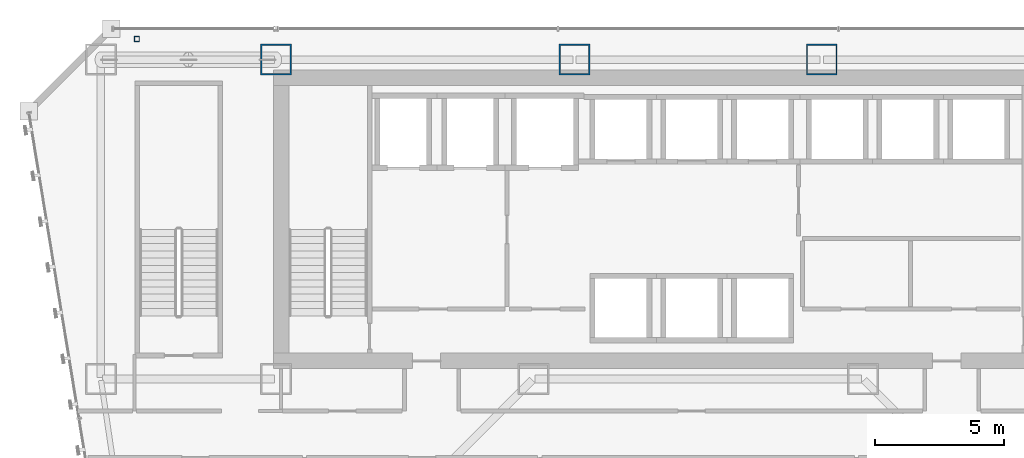
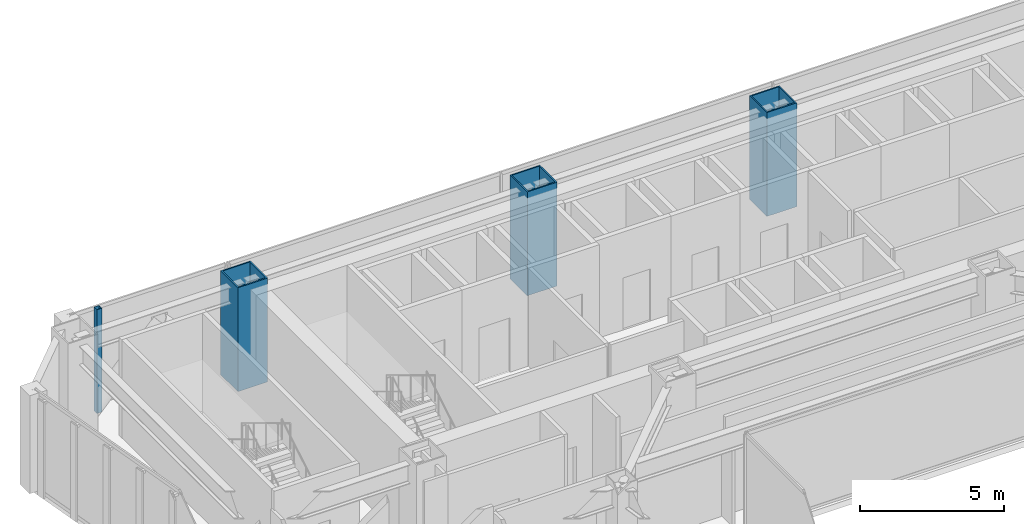
# One storey, part 2 of 47: 4 columns.
"""IFC4 building model written with IfcOpenShell, lengths in metres."""

from ifc_helpers import new_model, si_unit, direction, frame, origin, origin_2d, place, context, subcontext, project, spatial, hollow_rectangle, extrude, material, material_profile, profile_set, type_object, element, save


model = new_model("IFC4")

# Units and contexts
model_context = context("Model", 3, precision=1e-05, world=origin(), true_north=direction((0.0, 1.0)))
body_context = subcontext(model_context, "Body", "Model", "MODEL_VIEW")
ifc_project = project(units=[si_unit("LENGTHUNIT", "METRE"), si_unit("AREAUNIT", "SQUARE_METRE"), si_unit("VOLUMEUNIT", "CUBIC_METRE"), si_unit("PLANEANGLEUNIT", "RADIAN"), si_unit("MASSUNIT", "GRAM", prefix="KILO")], contexts=[model_context])

# Site, building, storey
site_placement = place(None, origin())
site = spatial("IfcSite", under=ifc_project, at=site_placement, CompositionType="ELEMENT")
building_placement = place(site_placement, origin())
building = spatial("IfcBuilding", under=site, at=building_placement, Name="Saevonmaru Cultural Tower", CompositionType="ELEMENT")
storey_placement = place(building_placement, frame((0.0, 0.0, 56.0)))
storey = spatial("IfcBuildingStorey", under=building, at=storey_placement, Name="L11", CompositionType="ELEMENT", Elevation=56.0)

# Columns
ifc_material_1 = material(Name="Steel HSA600 (600 MPa)", Category="steel")
ifc_material_profile_1 = material_profile(ifc_material_1, hollow_rectangle(XDim=1.199951171875, YDim=1.199951171875, WallThickness=0.054931640625, at=origin_2d()), Name="BOX-1200x1200x55")
ifc_profile_set_1 = profile_set([ifc_material_profile_1], Name="Steel HSA600 (600 MPa)")
column_type_1 = type_object("IfcColumnType", Name="COL-BOX-1200", PredefinedType="COLUMN", material=ifc_profile_set_1)
for number, where, z_axis, x_axis, name in (
    (1, (13.60009765625, 54.800048828125, 0.0), (0.0, 0.0, 1.0), (1.0, 0.0, 0.0), "L11 Column TC-N2N"),
    (2, (25.199951171875, 54.800048828125, 0.0), (0.0, 0.0, 1.0), (1.0, 0.0, 0.0), "L11 Column TC-N3N"),
    (3, (34.800048828125, 54.800048828125, 0.0), (0.0, 0.0, 1.0), (1.0, 0.0, 0.0), "L11 Column TC-N4N"),
):
    element("IfcColumn", number, at=place(storey_placement, frame(where, z_axis=z_axis, x_axis=x_axis)), inside=storey, type_object=column_type_1, Name=name, PredefinedType="COLUMN", context=body_context, shape_type="SweptSolid", body=[
        extrude(hollow_rectangle(XDim=1.199951171875, YDim=1.199951171875, WallThickness=0.054931640625, at=origin_2d()), origin(), (0.0, 0.0, 1.0), 4.39990234375),
    ])
ifc_material_2 = material(Name="Steel SM355", Category="steel")
ifc_material_profile_2 = material_profile(ifc_material_2, hollow_rectangle(XDim=0.199951171875, YDim=0.199951171875, WallThickness=0.010009765625, at=origin_2d()), Name="SHS-200x200x10")
ifc_profile_set_2 = profile_set([ifc_material_profile_2], Name="Steel SM355")
column_type_2 = type_object("IfcColumnType", Name="PIL-SHS-200", PredefinedType="PILASTER", material=ifc_profile_set_2)
column_placement = place(storey_placement, frame((8.199951171875, 55.60009765625, 0.0), z_axis=(0.0, 0.0, 1.0), x_axis=(1.0, 0.0, 0.0)))
element("IfcColumn", 4, at=column_placement, inside=storey, type_object=column_type_2, Name="L11 Art Deco Bronze-Clad Pilaster PIL-NW", PredefinedType="PILASTER", context=body_context, shape_type="SweptSolid", body=[
    extrude(hollow_rectangle(XDim=0.199951171875, YDim=0.199951171875, WallThickness=0.010009765625, at=origin_2d()), origin(), (0.0, 0.0, 1.0), 4.39990234375),
])

save(model, "model.ifc")
